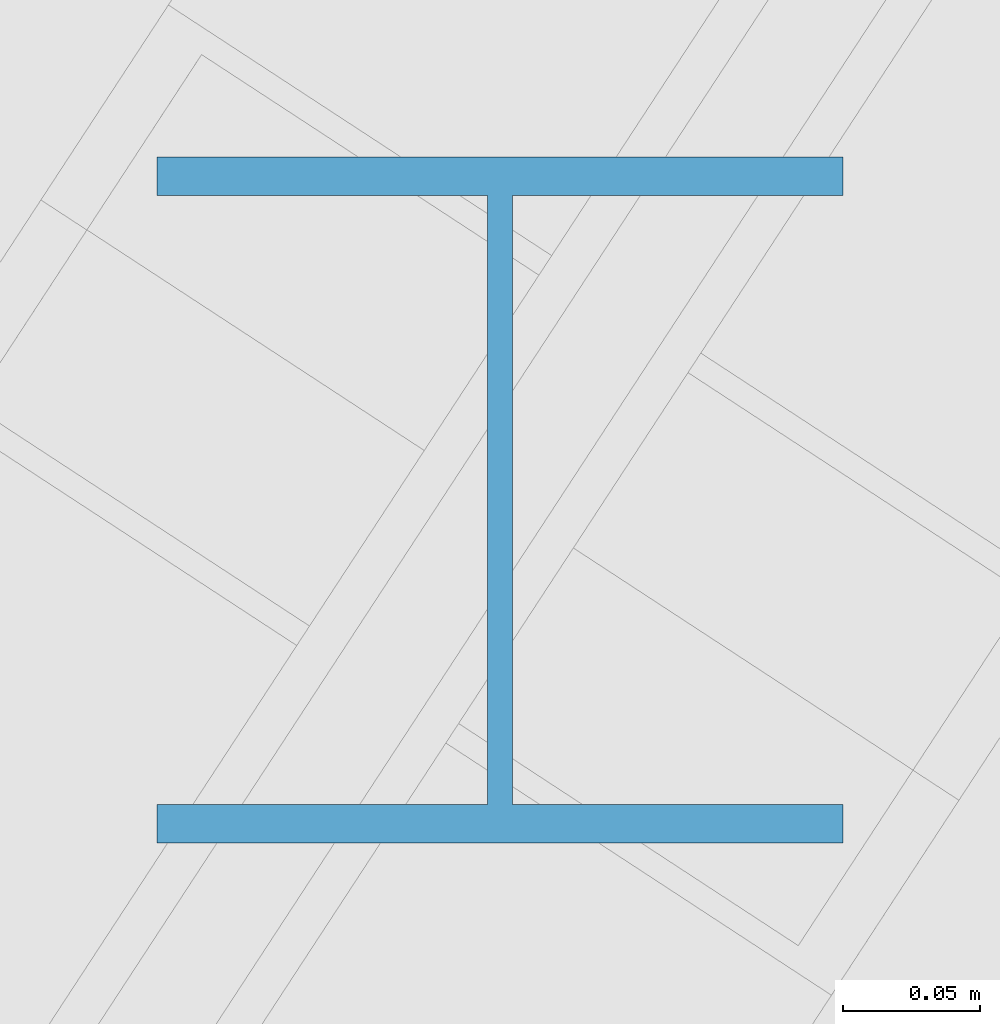
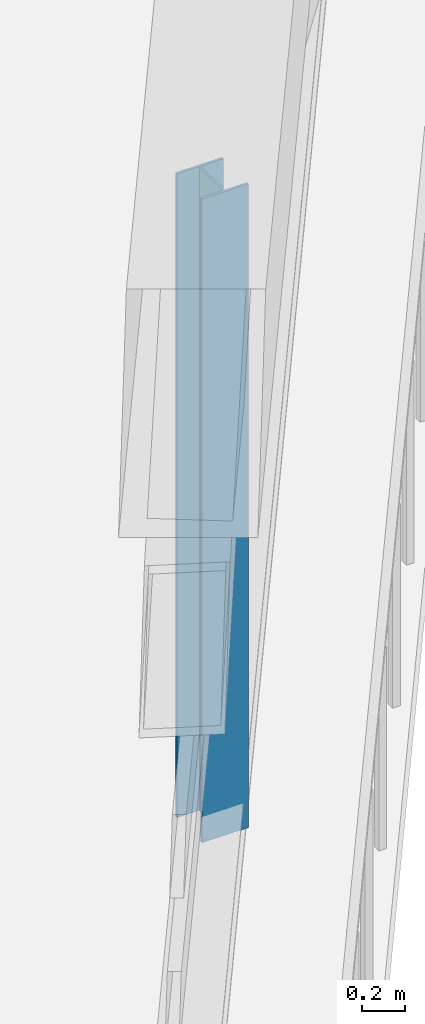
# One storey, part 4 of 25: 1 member.
"""IFC4 building model written with IfcOpenShell, lengths in metres."""

from ifc_helpers import new_model, si_unit, direction, frame, origin, origin_2d, place, context, subcontext, project, spatial, i_section, extrude, source, transform, mapped, material, material_profile, profile_set, type_object, element, save


model = new_model("IFC4")

# Units and contexts
model_context = context("Model", 3, precision=1e-05, world=origin(), true_north=direction((0.0, 1.0)))
body_context = subcontext(model_context, "Body", "Model", "MODEL_VIEW")
ifc_project = project(units=[si_unit("LENGTHUNIT", "METRE"), si_unit("AREAUNIT", "SQUARE_METRE"), si_unit("VOLUMEUNIT", "CUBIC_METRE"), si_unit("PLANEANGLEUNIT", "RADIAN"), si_unit("MASSUNIT", "GRAM", prefix="KILO")], contexts=[model_context])

# Site, building, storey
site_placement = place(None, origin())
site = spatial("IfcSite", under=ifc_project, at=site_placement, CompositionType="ELEMENT")
building_placement = place(site_placement, origin())
building = spatial("IfcBuilding", under=site, at=building_placement, Name="Liaohun Quay Tower", CompositionType="ELEMENT")
storey_placement = place(building_placement, frame((0.0, 0.0, 47.25)))
storey = spatial("IfcBuildingStorey", under=building, at=storey_placement, Name="L12", CompositionType="ELEMENT", Elevation=47.25)

# Member
ifc_material = material(Name="Steel Q355D", Category="steel")
ifc_material_profile = material_profile(ifc_material, i_section(OverallWidth=0.25, OverallDepth=0.25, WebThickness=0.009033203125, FlangeThickness=0.013916015625, at=origin_2d()), Name="HW250x250x9x14")
ifc_profile_set = profile_set([ifc_material_profile], Name="Steel Q355D")
member_type = type_object("IfcMemberType", Name="MEM-BLT-PST", PredefinedType="POST", material=ifc_profile_set)
shared_shape = source(origin(), body_context, "Body", "SweptSolid", [
    extrude(i_section(OverallWidth=0.25, OverallDepth=0.25, WebThickness=0.009033203125, FlangeThickness=0.013916015625, at=origin_2d()), origin(), (0.0, 0.0, 1.0), 3.669921875),
])
member_placement = place(storey_placement, frame((76.111083984375, 27.653076171875, 0.35009765625), z_axis=(0.0, 0.0, 1.0), x_axis=(1.0, 0.0, 0.0)))
element("IfcMember", 1, at=member_placement, inside=storey, type_object=member_type, Name="L12 Belt Truss Vertical Post BP-1-06", PredefinedType="POST", context=body_context, shape_type="MappedRepresentation", body=[
    mapped(shared_shape, transform((0.0, 0.0, 0.0), x_axis=(1.0, 0.0, 0.0), y_axis=(0.0, 1.0, 0.0), z_axis=(0.0, 0.0, 1.0), scale=1.0)),
])

save(model, "model.ifc")
